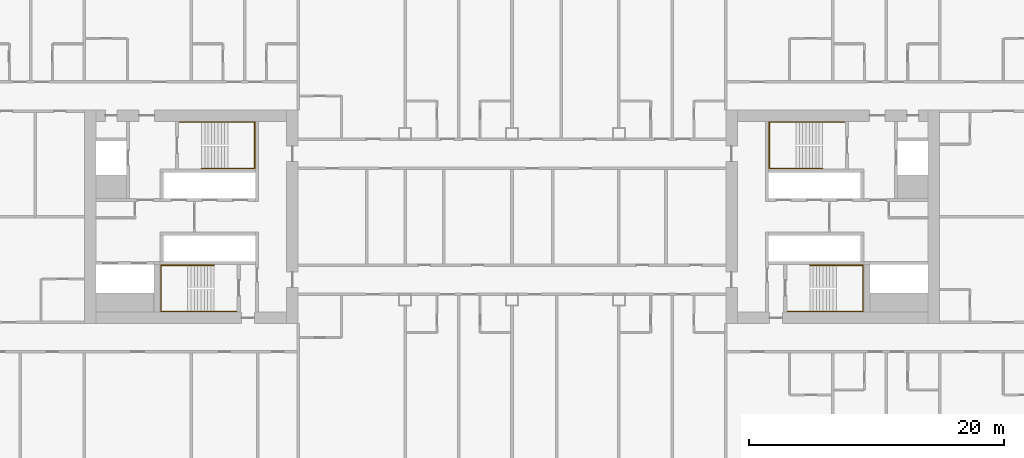
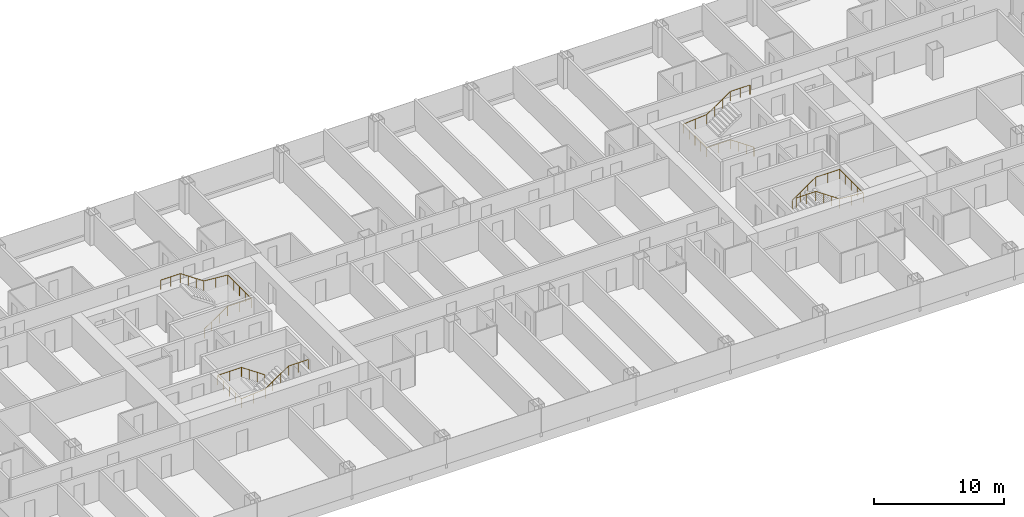
# One storey, part 28 of 28: 4 railings.
"""IFC4 building model written with IfcOpenShell, lengths in metres."""

import ifcopenshell
import ifcopenshell.guid

model = None  # the IFC model being written
_history = None  # IfcOwnerHistory: only IFC2X3 demands one
_inside = {}  # id of a spatial element -> (the spatial element, [elements in it])
_under = {}  # id of a project, library or spatial element -> (it, [spatial elements below it])
_declared = {}  # id of a project -> (the project, [libraries it declares])
_typed = {}  # id of a type object -> (the type object, [elements of that type])
_made_of = {}  # id of a material, layer set ... -> (it, [elements and type objects made of it])


def new_model(schema):
    """Start an empty IFC model of exactly this schema.

    Asked for "IFC4X3", IfcOpenShell would pick the latest addendum, in which some entities
    have other attributes; the version numbers below select the first issue.
    IFC2X3 requires an IfcOwnerHistory on every rooted entity: one is made here for all.
    """
    global model, _history
    if schema == "IFC4X3":
        model = ifcopenshell.file(schema_version=(4, 3, 0, 0))
    else:
        model = ifcopenshell.file(schema=schema)
    _inside.clear()
    _under.clear()
    _declared.clear()
    _typed.clear()
    _made_of.clear()
    _history = None
    if model.schema == "IFC2X3":
        org = make("IfcOrganization", Name="unknown")
        user = make(
            "IfcPersonAndOrganization",
            ThePerson=make("IfcPerson", FamilyName="unknown"),
            TheOrganization=org,
        )
        app = make(
            "IfcApplication",
            ApplicationDeveloper=org,
            Version="unknown",
            ApplicationFullName="unknown",
            ApplicationIdentifier="unknown",
        )
        _history = make(
            "IfcOwnerHistory",
            OwningUser=user,
            OwningApplication=app,
            ChangeAction="ADDED",
            CreationDate=0,
        )
    return model


def make(cls, **values):
    """One entity of the class cls with the attributes given. An attribute that is None is left unset."""
    return model.create_entity(
        cls, **{name: value for name, value in values.items() if value is not None}
    )


def rooted(cls, **values):
    """An entity with a GlobalId (a new one), such as an element, a storey or a relation."""
    return make(cls, GlobalId=ifcopenshell.guid.new(), OwnerHistory=_history, **values)


def si_unit(unit_type, name, prefix=None):
    """IfcSIUnit, for example si_unit("LENGTHUNIT", "METRE", prefix="MILLI")."""
    return make("IfcSIUnit", UnitType=unit_type, Prefix=prefix, Name=name)


def assignment(units):
    """IfcUnitAssignment: the units of a project."""
    return None if units is None else make("IfcUnitAssignment", Units=units)


def point(xyz):
    """IfcCartesianPoint."""
    return None if xyz is None else make("IfcCartesianPoint", Coordinates=xyz)


def direction(xyz):
    """IfcDirection."""
    return None if xyz is None else make("IfcDirection", DirectionRatios=xyz)


def frame(location, z_axis=None, x_axis=None):
    """IfcAxis2Placement3D, a coordinate frame: its origin and axes. An axis left out is left unset."""
    return make(
        "IfcAxis2Placement3D",
        Location=point(location),
        Axis=direction(z_axis),
        RefDirection=direction(x_axis),
    )


def frame_2d(location, x_axis=None):
    """IfcAxis2Placement2D, a coordinate frame in the plane: its origin and x axis."""
    return make(
        "IfcAxis2Placement2D", Location=point(location), RefDirection=direction(x_axis)
    )


def origin():
    """The frame at (0, 0, 0) with its axes left unset."""
    return frame((0.0, 0.0, 0.0))


def origin_2d():
    """The frame at (0, 0) in the plane with its x axis left unset."""
    return frame_2d((0.0, 0.0))


def place(relative_to, where):
    """IfcLocalPlacement: puts the frame where relative to a parent placement (None: the world)."""
    return make(
        "IfcLocalPlacement", PlacementRelTo=relative_to, RelativePlacement=where
    )


def context(
    kind, dimensions, precision=None, world=None, true_north=None, identifier=None
):
    """IfcGeometricRepresentationContext, for example the 3D "Model" context."""
    return make(
        "IfcGeometricRepresentationContext",
        ContextIdentifier=identifier,
        ContextType=kind,
        CoordinateSpaceDimension=dimensions,
        Precision=precision,
        WorldCoordinateSystem=world,
        TrueNorth=true_north,
    )


def subcontext(parent, identifier, kind, view, scale=None):
    """IfcGeometricRepresentationSubContext, for example "Body" below "Model"."""
    return make(
        "IfcGeometricRepresentationSubContext",
        ContextIdentifier=identifier,
        ContextType=kind,
        ParentContext=parent,
        TargetScale=scale,
        TargetView=view,
    )


def project(units=None, contexts=None):
    """IfcProject with its units and contexts."""
    return rooted(
        "IfcProject",
        Name="project",
        RepresentationContexts=contexts,
        UnitsInContext=assignment(units),
    )


def spatial(cls, under=None, at=None, **own):
    """A site, building, storey or space (cls), placed at a placement, below another one or the project."""
    s = rooted(cls, ObjectPlacement=at, **own)
    if under is not None:
        _under.setdefault(under.id(), (under, []))[1].append(s)
    return s


def profile(cls, at=None, kind="AREA", **sizes):
    """A parametric profile (cls). Its sizes go by their IFC names, for example OverallWidth=200.0."""
    return make(cls, ProfileType=kind, Position=at, **sizes)


def circle(**sizes):
    """IfcCircleProfileDef."""
    return profile("IfcCircleProfileDef", **sizes)


def extrude(swept, where, along, depth):
    """IfcExtrudedAreaSolid: the profile swept, set in the frame where, extruded along a direction by depth."""
    return make(
        "IfcExtrudedAreaSolid",
        SweptArea=swept,
        Position=where,
        ExtrudedDirection=direction(along),
        Depth=depth,
    )


def shape(context_of_items, identifier, shape_type, items):
    """IfcShapeRepresentation: the items that make up one representation, for example the "Body"."""
    return make(
        "IfcShapeRepresentation",
        ContextOfItems=context_of_items,
        RepresentationIdentifier=identifier,
        RepresentationType=shape_type,
        Items=items,
    )


def material(Name=None, Category=None):
    """IfcMaterial."""
    return make("IfcMaterial", Name=Name, Category=Category)


def made_of(thing, what):
    """Note that an element or type object is made of a material, layer set ...; save() writes the relation."""
    if what is not None:
        _made_of.setdefault(what.id(), (what, []))[1].append(thing)
    return thing


def type_object(cls, material=None, **own):
    """A type object (cls), such as IfcWallType, which elements share."""
    return made_of(rooted(cls, **own), material)


def element(
    cls,
    number,
    at=None,
    inside=None,
    cuts=None,
    type_object=None,
    material=None,
    context=None,
    identifier="Body",
    shape_type=None,
    held_by="IfcProductDefinitionShape",
    body=None,
    shapes=None,
    **own,
):
    """One element of the class cls, such as IfcWall. Its Tag is "e" and its number.

    at: its placement. inside: the storey or other place that contains it. cuts: it is an
    opening in that element (IfcRelVoidsElement). A single representation is given by context,
    identifier, shape_type and body (its items); several are given by shapes. held_by: the class
    of the entity that holds the representations. save() writes the other relations.
    """
    e = rooted(cls, Tag="e%d" % number, ObjectPlacement=at, **own)
    if body is not None:
        shapes = [shape(context, identifier, shape_type, body)]
    if shapes is not None:
        e.Representation = make(held_by, Representations=shapes)
    if inside is not None:
        _inside.setdefault(inside.id(), (inside, []))[1].append(e)
    if cuts is not None:
        rooted(
            "IfcRelVoidsElement", RelatingBuildingElement=cuts, RelatedOpeningElement=e
        )
    if type_object is not None:
        _typed.setdefault(type_object.id(), (type_object, []))[1].append(e)
    return made_of(e, material)


def aggregate(whole, parts):
    """IfcRelAggregates: a whole, such as a stair, and the parts it consists of."""
    return rooted("IfcRelAggregates", RelatingObject=whole, RelatedObjects=parts)


def save(model, path):
    """Write the relations noted so far, then the file.

    IfcRelAggregates (storeys below a building ...), IfcRelContainedInSpatialStructure (elements
    in a storey), IfcRelDefinesByType, IfcRelAssociatesMaterial and IfcRelDeclares: one each for
    every whole, place, type object, material and project.
    """
    for whole, parts in _under.values():
        aggregate(whole, parts)
    for where, things in _inside.values():
        rooted(
            "IfcRelContainedInSpatialStructure",
            RelatedElements=things,
            RelatingStructure=where,
        )
    for kind, things in _typed.values():
        rooted("IfcRelDefinesByType", RelatedObjects=things, RelatingType=kind)
    for what, things in _made_of.values():
        rooted("IfcRelAssociatesMaterial", RelatedObjects=things, RelatingMaterial=what)
    for by, libraries in _declared.values():
        rooted("IfcRelDeclares", RelatingContext=by, RelatedDefinitions=libraries)
    model.write(path)


model = new_model("IFC4")

# Units and contexts
model_context = context("Model", 3, precision=1e-05, world=origin(), true_north=direction((0.0, 1.0)))
body_context = subcontext(model_context, "Body", "Model", "MODEL_VIEW")
ifc_project = project(units=[si_unit("LENGTHUNIT", "METRE"), si_unit("AREAUNIT", "SQUARE_METRE"), si_unit("VOLUMEUNIT", "CUBIC_METRE"), si_unit("PLANEANGLEUNIT", "RADIAN"), si_unit("MASSUNIT", "GRAM", prefix="KILO")], contexts=[model_context])

# Site, building, storey
site_placement = place(None, origin())
site = spatial("IfcSite", under=ifc_project, at=site_placement, CompositionType="ELEMENT")
building_placement = place(site_placement, origin())
building = spatial("IfcBuilding", under=site, at=building_placement, Name="Hakoniwa Tower and Hamabe Station Hall", CompositionType="ELEMENT")
storey_placement = place(building_placement, frame((0.0, 0.0, 42.199951171875)))
storey = spatial("IfcBuildingStorey", under=building, at=storey_placement, Name="L11", CompositionType="ELEMENT", Elevation=42.199951171875)

# Railings
ifc_material = material(Name="Stainless steel SUS304", Category="steel")
railing_type = type_object("IfcRailingType", Name="STAIR HANDRAIL 900", PredefinedType="HANDRAIL", material=ifc_material)
railing_1_placement = place(storey_placement, frame((-24.39990234375, 3.81005859375, 0.177734375)))
element("IfcRailing", 1, at=railing_1_placement, inside=storey, type_object=railing_type, Name="Handrail ST-1 L11 1", PredefinedType="HANDRAIL", context=body_context, shape_type="SweptSolid", body=[
    extrude(circle(Radius=0.02392578125, at=origin_2d()), frame((0.0, 0.0, 0.8759765625), z_axis=(0.825433201882, 0.0, 0.564499804456), x_axis=(0.0, 1.0, 0.0)), (0.0, 0.0, 1.0), 2.519775390625),
    extrude(circle(Radius=0.02392578125, at=origin_2d()), frame((2.079833984375, 0.0, 2.29833984375), z_axis=(1.0, 0.0, 0.0), x_axis=(0.0, 1.0, 0.0)), (0.0, 0.0, 1.0), 2.110107421875),
    extrude(circle(Radius=0.02392578125, at=origin_2d()), frame((4.18994140625, 0.0, 2.29833984375), z_axis=(0.0, 1.0, 0.0), x_axis=(-1.0, 0.0, 0.0)), (0.0, 0.0, 1.0), 3.6298828125),
    extrude(circle(Radius=0.02392578125, at=origin_2d()), frame((4.18994140625, 3.6298828125, 2.29833984375), z_axis=(-0.996471417081, 0.0, 0.083932800143), x_axis=(0.0, -1.0, 0.0)), (0.0, 0.0, 1.0), 2.11767578125),
    extrude(circle(Radius=0.02392578125, at=origin_2d()), frame((2.079833984375, 3.6298828125, 2.47607421875), z_axis=(-0.825478349766, 0.0, 0.564433781827), x_axis=(0.0, -1.0, 0.0)), (0.0, 0.0, 1.0), 2.51953125),
    extrude(circle(Radius=0.02392578125, at=origin_2d()), frame((0.0, 3.6298828125, 3.89794921875), z_axis=(-1.0, 0.0, 0.0), x_axis=(0.0, -1.0, 0.0)), (0.0, 0.0, 1.0), 1.739990234375),
    extrude(circle(Radius=0.02099609375, at=origin_2d()), origin(), (0.0, 0.0, 1.0), 0.851806640625),
    extrude(circle(Radius=0.02099609375, at=origin_2d()), frame((0.693359375, 0.0, 0.47412109375)), (0.0, 0.0, 1.0), 0.851806640625),
    extrude(circle(Radius=0.02099609375, at=origin_2d()), frame((1.386474609375, 0.0, 0.9482421875)), (0.0, 0.0, 1.0), 0.851806640625),
    extrude(circle(Radius=0.02099609375, at=origin_2d()), frame((2.079833984375, 0.0, 1.42236328125)), (0.0, 0.0, 1.0), 0.851806640625),
    extrude(circle(Radius=0.02099609375, at=origin_2d()), frame((3.134765625, 0.0, 1.42236328125)), (0.0, 0.0, 1.0), 0.851806640625),
    extrude(circle(Radius=0.02099609375, at=origin_2d()), frame((4.18994140625, 0.0, 1.42236328125)), (0.0, 0.0, 1.0), 0.851806640625),
    extrude(circle(Radius=0.02099609375, at=origin_2d()), frame((4.18994140625, 0.907470703125, 1.42236328125)), (0.0, 0.0, 1.0), 0.851806640625),
    extrude(circle(Radius=0.02099609375, at=origin_2d()), frame((4.18994140625, 1.81494140625, 1.42236328125)), (0.0, 0.0, 1.0), 0.851806640625),
    extrude(circle(Radius=0.02099609375, at=origin_2d()), frame((4.18994140625, 2.722412109375, 1.42236328125)), (0.0, 0.0, 1.0), 0.851806640625),
    extrude(circle(Radius=0.02099609375, at=origin_2d()), frame((4.18994140625, 3.6298828125, 1.42236328125)), (0.0, 0.0, 1.0), 0.851806640625),
    extrude(circle(Radius=0.02099609375, at=origin_2d()), frame((3.134765625, 3.6298828125, 1.51123046875)), (0.0, 0.0, 1.0), 0.851806640625),
    extrude(circle(Radius=0.02099609375, at=origin_2d()), frame((2.079833984375, 3.6298828125, 1.60009765625)), (0.0, 0.0, 1.0), 0.851806640625),
    extrude(circle(Radius=0.02099609375, at=origin_2d()), frame((1.386474609375, 3.6298828125, 2.07421875)), (0.0, 0.0, 1.0), 0.851806640625),
    extrude(circle(Radius=0.02099609375, at=origin_2d()), frame((0.693359375, 3.6298828125, 2.548095703125)), (0.0, 0.0, 1.0), 0.851806640625),
    extrude(circle(Radius=0.02099609375, at=origin_2d()), frame((0.0, 3.6298828125, 3.022216796875)), (0.0, 0.0, 1.0), 0.851806640625),
    extrude(circle(Radius=0.02099609375, at=origin_2d()), frame((-0.8701171875, 3.6298828125, 3.022216796875)), (0.0, 0.0, 1.0), 0.851806640625),
    extrude(circle(Radius=0.02099609375, at=origin_2d()), frame((-1.739990234375, 3.6298828125, 3.022216796875)), (0.0, 0.0, 1.0), 0.851806640625),
])
railing_2_placement = place(storey_placement, frame((-23.39990234375, -3.81005859375, 0.177734375)))
element("IfcRailing", 2, at=railing_2_placement, inside=storey, type_object=railing_type, Name="Handrail ST-2 L11 1", PredefinedType="HANDRAIL", context=body_context, shape_type="SweptSolid", body=[
    extrude(circle(Radius=0.02392578125, at=origin_2d()), frame((0.0, 0.0, 0.8759765625), z_axis=(-0.825464074169, 0.0, 0.564454659168), x_axis=(0.0, -1.0, 0.0)), (0.0, 0.0, 1.0), 2.519775390625),
    extrude(circle(Radius=0.02392578125, at=origin_2d()), frame((-2.080078125, 0.0, 2.29833984375), z_axis=(-1.0, 0.0, 0.0), x_axis=(0.0, -1.0, 0.0)), (0.0, 0.0, 1.0), 2.110107421875),
    extrude(circle(Radius=0.02392578125, at=origin_2d()), frame((-4.190185546875, 0.0, 2.29833984375), z_axis=(0.0, -1.0, 0.0), x_axis=(1.0, 0.0, 0.0)), (0.0, 0.0, 1.0), 3.6298828125),
    extrude(circle(Radius=0.02392578125, at=origin_2d()), frame((-4.190185546875, -3.6298828125, 2.29833984375), z_axis=(0.996471417081, 0.0, 0.083932800143), x_axis=(0.0, 1.0, 0.0)), (0.0, 0.0, 1.0), 2.11767578125),
    extrude(circle(Radius=0.02392578125, at=origin_2d()), frame((-2.080078125, -3.6298828125, 2.47607421875), z_axis=(0.82550921652, 0.0, 0.564388636881), x_axis=(0.0, 1.0, 0.0)), (0.0, 0.0, 1.0), 2.519775390625),
    extrude(circle(Radius=0.02392578125, at=origin_2d()), frame((0.0, -3.6298828125, 3.89794921875), z_axis=(1.0, 0.0, 0.0), x_axis=(0.0, 1.0, 0.0)), (0.0, 0.0, 1.0), 1.739990234375),
    extrude(circle(Radius=0.02099609375, at=origin_2d()), origin(), (0.0, 0.0, 1.0), 0.851806640625),
    extrude(circle(Radius=0.02099609375, at=origin_2d()), frame((-0.693359375, 0.0, 0.47412109375)), (0.0, 0.0, 1.0), 0.851806640625),
    extrude(circle(Radius=0.02099609375, at=origin_2d()), frame((-1.38671875, 0.0, 0.9482421875)), (0.0, 0.0, 1.0), 0.851806640625),
    extrude(circle(Radius=0.02099609375, at=origin_2d()), frame((-2.080078125, 0.0, 1.42236328125)), (0.0, 0.0, 1.0), 0.851806640625),
    extrude(circle(Radius=0.02099609375, at=origin_2d()), frame((-3.13525390625, 0.0, 1.42236328125)), (0.0, 0.0, 1.0), 0.851806640625),
    extrude(circle(Radius=0.02099609375, at=origin_2d()), frame((-4.190185546875, 0.0, 1.42236328125)), (0.0, 0.0, 1.0), 0.851806640625),
    extrude(circle(Radius=0.02099609375, at=origin_2d()), frame((-4.190185546875, -0.907470703125, 1.42236328125)), (0.0, 0.0, 1.0), 0.851806640625),
    extrude(circle(Radius=0.02099609375, at=origin_2d()), frame((-4.190185546875, -1.81494140625, 1.42236328125)), (0.0, 0.0, 1.0), 0.851806640625),
    extrude(circle(Radius=0.02099609375, at=origin_2d()), frame((-4.190185546875, -2.722412109375, 1.42236328125)), (0.0, 0.0, 1.0), 0.851806640625),
    extrude(circle(Radius=0.02099609375, at=origin_2d()), frame((-4.190185546875, -3.6298828125, 1.42236328125)), (0.0, 0.0, 1.0), 0.851806640625),
    extrude(circle(Radius=0.02099609375, at=origin_2d()), frame((-3.13525390625, -3.6298828125, 1.51123046875)), (0.0, 0.0, 1.0), 0.851806640625),
    extrude(circle(Radius=0.02099609375, at=origin_2d()), frame((-2.080078125, -3.6298828125, 1.60009765625)), (0.0, 0.0, 1.0), 0.851806640625),
    extrude(circle(Radius=0.02099609375, at=origin_2d()), frame((-1.38671875, -3.6298828125, 2.07421875)), (0.0, 0.0, 1.0), 0.851806640625),
    extrude(circle(Radius=0.02099609375, at=origin_2d()), frame((-0.693359375, -3.6298828125, 2.548095703125)), (0.0, 0.0, 1.0), 0.851806640625),
    extrude(circle(Radius=0.02099609375, at=origin_2d()), frame((0.0, -3.6298828125, 3.022216796875)), (0.0, 0.0, 1.0), 0.851806640625),
    extrude(circle(Radius=0.02099609375, at=origin_2d()), frame((0.8701171875, -3.6298828125, 3.022216796875)), (0.0, 0.0, 1.0), 0.851806640625),
    extrude(circle(Radius=0.02099609375, at=origin_2d()), frame((1.739990234375, -3.6298828125, 3.022216796875)), (0.0, 0.0, 1.0), 0.851806640625),
])
railing_3_placement = place(storey_placement, frame((24.39990234375, 3.81005859375, 0.177734375)))
element("IfcRailing", 3, at=railing_3_placement, inside=storey, type_object=railing_type, Name="Handrail ST-3 L11 1", PredefinedType="HANDRAIL", context=body_context, shape_type="SweptSolid", body=[
    extrude(circle(Radius=0.02392578125, at=origin_2d()), frame((0.0, 0.0, 0.8759765625), z_axis=(-0.825433201882, 0.0, 0.564499804456), x_axis=(0.0, -1.0, 0.0)), (0.0, 0.0, 1.0), 2.519775390625),
    extrude(circle(Radius=0.02392578125, at=origin_2d()), frame((-2.079833984375, 0.0, 2.29833984375), z_axis=(-1.0, 0.0, 0.0), x_axis=(0.0, -1.0, 0.0)), (0.0, 0.0, 1.0), 2.110107421875),
    extrude(circle(Radius=0.02392578125, at=origin_2d()), frame((-4.18994140625, 0.0, 2.29833984375), z_axis=(0.0, 1.0, 0.0), x_axis=(-1.0, 0.0, 0.0)), (0.0, 0.0, 1.0), 3.6298828125),
    extrude(circle(Radius=0.02392578125, at=origin_2d()), frame((-4.18994140625, 3.6298828125, 2.29833984375), z_axis=(0.996471417081, 0.0, 0.083932800143), x_axis=(0.0, 1.0, 0.0)), (0.0, 0.0, 1.0), 2.11767578125),
    extrude(circle(Radius=0.02392578125, at=origin_2d()), frame((-2.079833984375, 3.6298828125, 2.47607421875), z_axis=(0.825478349766, 0.0, 0.564433781827), x_axis=(0.0, 1.0, 0.0)), (0.0, 0.0, 1.0), 2.51953125),
    extrude(circle(Radius=0.02392578125, at=origin_2d()), frame((0.0, 3.6298828125, 3.89794921875), z_axis=(1.0, 0.0, 0.0), x_axis=(0.0, 1.0, 0.0)), (0.0, 0.0, 1.0), 1.739990234375),
    extrude(circle(Radius=0.02099609375, at=origin_2d()), origin(), (0.0, 0.0, 1.0), 0.851806640625),
    extrude(circle(Radius=0.02099609375, at=origin_2d()), frame((-0.693359375, 0.0, 0.47412109375)), (0.0, 0.0, 1.0), 0.851806640625),
    extrude(circle(Radius=0.02099609375, at=origin_2d()), frame((-1.386474609375, 0.0, 0.9482421875)), (0.0, 0.0, 1.0), 0.851806640625),
    extrude(circle(Radius=0.02099609375, at=origin_2d()), frame((-2.079833984375, 0.0, 1.42236328125)), (0.0, 0.0, 1.0), 0.851806640625),
    extrude(circle(Radius=0.02099609375, at=origin_2d()), frame((-3.134765625, 0.0, 1.42236328125)), (0.0, 0.0, 1.0), 0.851806640625),
    extrude(circle(Radius=0.02099609375, at=origin_2d()), frame((-4.18994140625, 0.0, 1.42236328125)), (0.0, 0.0, 1.0), 0.851806640625),
    extrude(circle(Radius=0.02099609375, at=origin_2d()), frame((-4.18994140625, 0.907470703125, 1.42236328125)), (0.0, 0.0, 1.0), 0.851806640625),
    extrude(circle(Radius=0.02099609375, at=origin_2d()), frame((-4.18994140625, 1.81494140625, 1.42236328125)), (0.0, 0.0, 1.0), 0.851806640625),
    extrude(circle(Radius=0.02099609375, at=origin_2d()), frame((-4.18994140625, 2.722412109375, 1.42236328125)), (0.0, 0.0, 1.0), 0.851806640625),
    extrude(circle(Radius=0.02099609375, at=origin_2d()), frame((-4.18994140625, 3.6298828125, 1.42236328125)), (0.0, 0.0, 1.0), 0.851806640625),
    extrude(circle(Radius=0.02099609375, at=origin_2d()), frame((-3.134765625, 3.6298828125, 1.51123046875)), (0.0, 0.0, 1.0), 0.851806640625),
    extrude(circle(Radius=0.02099609375, at=origin_2d()), frame((-2.079833984375, 3.6298828125, 1.60009765625)), (0.0, 0.0, 1.0), 0.851806640625),
    extrude(circle(Radius=0.02099609375, at=origin_2d()), frame((-1.386474609375, 3.6298828125, 2.07421875)), (0.0, 0.0, 1.0), 0.851806640625),
    extrude(circle(Radius=0.02099609375, at=origin_2d()), frame((-0.693359375, 3.6298828125, 2.548095703125)), (0.0, 0.0, 1.0), 0.851806640625),
    extrude(circle(Radius=0.02099609375, at=origin_2d()), frame((0.0, 3.6298828125, 3.022216796875)), (0.0, 0.0, 1.0), 0.851806640625),
    extrude(circle(Radius=0.02099609375, at=origin_2d()), frame((0.8701171875, 3.6298828125, 3.022216796875)), (0.0, 0.0, 1.0), 0.851806640625),
    extrude(circle(Radius=0.02099609375, at=origin_2d()), frame((1.739990234375, 3.6298828125, 3.022216796875)), (0.0, 0.0, 1.0), 0.851806640625),
])
railing_4_placement = place(storey_placement, frame((23.39990234375, -3.81005859375, 0.177734375)))
element("IfcRailing", 4, at=railing_4_placement, inside=storey, type_object=railing_type, Name="Handrail ST-4 L11 1", PredefinedType="HANDRAIL", context=body_context, shape_type="SweptSolid", body=[
    extrude(circle(Radius=0.02392578125, at=origin_2d()), frame((0.0, 0.0, 0.8759765625), z_axis=(0.825464074169, 0.0, 0.564454659168), x_axis=(0.0, 1.0, 0.0)), (0.0, 0.0, 1.0), 2.519775390625),
    extrude(circle(Radius=0.02392578125, at=origin_2d()), frame((2.080078125, 0.0, 2.29833984375), z_axis=(1.0, 0.0, 0.0), x_axis=(0.0, 1.0, 0.0)), (0.0, 0.0, 1.0), 2.110107421875),
    extrude(circle(Radius=0.02392578125, at=origin_2d()), frame((4.190185546875, 0.0, 2.29833984375), z_axis=(0.0, -1.0, 0.0), x_axis=(1.0, 0.0, 0.0)), (0.0, 0.0, 1.0), 3.6298828125),
    extrude(circle(Radius=0.02392578125, at=origin_2d()), frame((4.190185546875, -3.6298828125, 2.29833984375), z_axis=(-0.996471417081, 0.0, 0.083932800143), x_axis=(0.0, -1.0, 0.0)), (0.0, 0.0, 1.0), 2.11767578125),
    extrude(circle(Radius=0.02392578125, at=origin_2d()), frame((2.080078125, -3.6298828125, 2.47607421875), z_axis=(-0.82550921652, 0.0, 0.564388636881), x_axis=(0.0, -1.0, 0.0)), (0.0, 0.0, 1.0), 2.519775390625),
    extrude(circle(Radius=0.02392578125, at=origin_2d()), frame((0.0, -3.6298828125, 3.89794921875), z_axis=(-1.0, 0.0, 0.0), x_axis=(0.0, -1.0, 0.0)), (0.0, 0.0, 1.0), 1.739990234375),
    extrude(circle(Radius=0.02099609375, at=origin_2d()), origin(), (0.0, 0.0, 1.0), 0.851806640625),
    extrude(circle(Radius=0.02099609375, at=origin_2d()), frame((0.693359375, 0.0, 0.47412109375)), (0.0, 0.0, 1.0), 0.851806640625),
    extrude(circle(Radius=0.02099609375, at=origin_2d()), frame((1.38671875, 0.0, 0.9482421875)), (0.0, 0.0, 1.0), 0.851806640625),
    extrude(circle(Radius=0.02099609375, at=origin_2d()), frame((2.080078125, 0.0, 1.42236328125)), (0.0, 0.0, 1.0), 0.851806640625),
    extrude(circle(Radius=0.02099609375, at=origin_2d()), frame((3.13525390625, 0.0, 1.42236328125)), (0.0, 0.0, 1.0), 0.851806640625),
    extrude(circle(Radius=0.02099609375, at=origin_2d()), frame((4.190185546875, 0.0, 1.42236328125)), (0.0, 0.0, 1.0), 0.851806640625),
    extrude(circle(Radius=0.02099609375, at=origin_2d()), frame((4.190185546875, -0.907470703125, 1.42236328125)), (0.0, 0.0, 1.0), 0.851806640625),
    extrude(circle(Radius=0.02099609375, at=origin_2d()), frame((4.190185546875, -1.81494140625, 1.42236328125)), (0.0, 0.0, 1.0), 0.851806640625),
    extrude(circle(Radius=0.02099609375, at=origin_2d()), frame((4.190185546875, -2.722412109375, 1.42236328125)), (0.0, 0.0, 1.0), 0.851806640625),
    extrude(circle(Radius=0.02099609375, at=origin_2d()), frame((4.190185546875, -3.6298828125, 1.42236328125)), (0.0, 0.0, 1.0), 0.851806640625),
    extrude(circle(Radius=0.02099609375, at=origin_2d()), frame((3.13525390625, -3.6298828125, 1.51123046875)), (0.0, 0.0, 1.0), 0.851806640625),
    extrude(circle(Radius=0.02099609375, at=origin_2d()), frame((2.080078125, -3.6298828125, 1.60009765625)), (0.0, 0.0, 1.0), 0.851806640625),
    extrude(circle(Radius=0.02099609375, at=origin_2d()), frame((1.38671875, -3.6298828125, 2.07421875)), (0.0, 0.0, 1.0), 0.851806640625),
    extrude(circle(Radius=0.02099609375, at=origin_2d()), frame((0.693359375, -3.6298828125, 2.548095703125)), (0.0, 0.0, 1.0), 0.851806640625),
    extrude(circle(Radius=0.02099609375, at=origin_2d()), frame((0.0, -3.6298828125, 3.022216796875)), (0.0, 0.0, 1.0), 0.851806640625),
    extrude(circle(Radius=0.02099609375, at=origin_2d()), frame((-0.8701171875, -3.6298828125, 3.022216796875)), (0.0, 0.0, 1.0), 0.851806640625),
    extrude(circle(Radius=0.02099609375, at=origin_2d()), frame((-1.739990234375, -3.6298828125, 3.022216796875)), (0.0, 0.0, 1.0), 0.851806640625),
])

save(model, "model.ifc")
